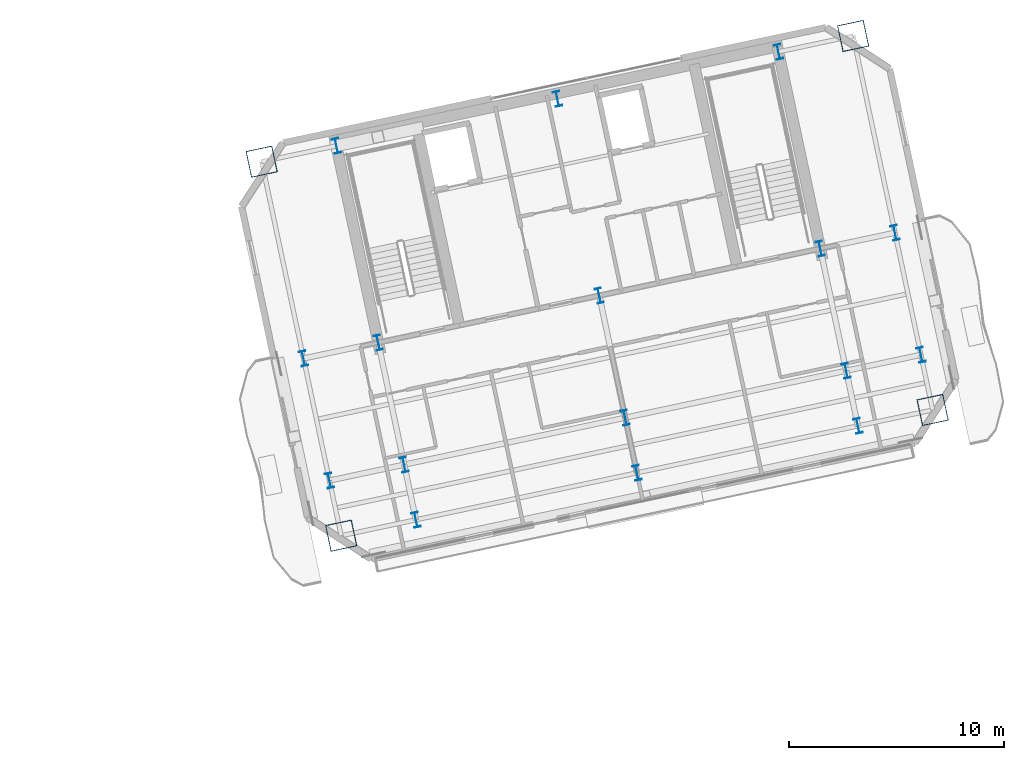
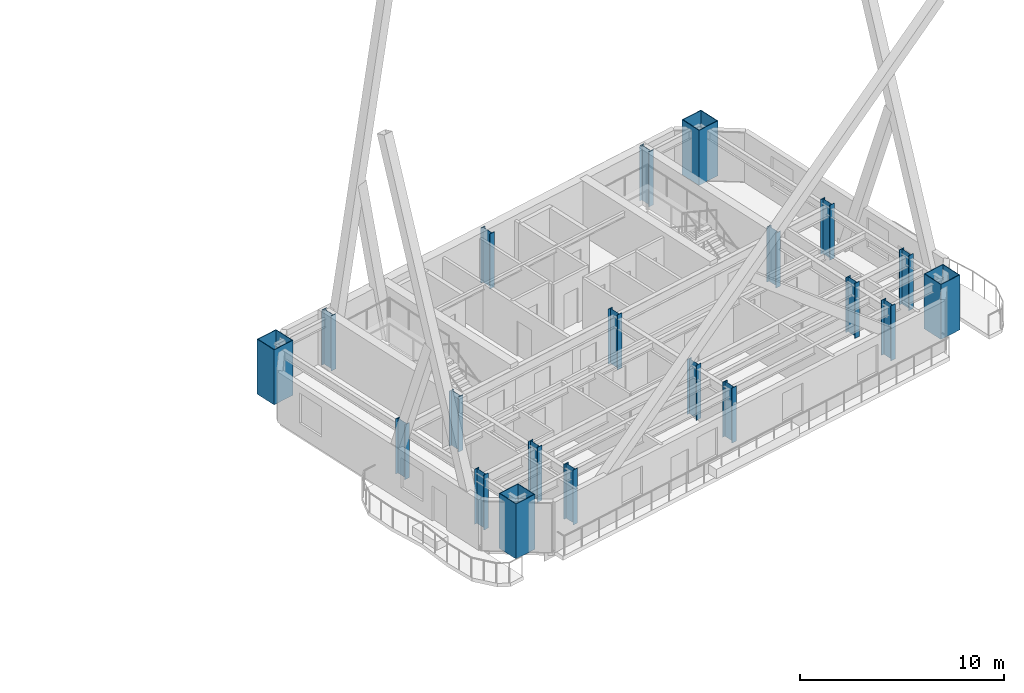
# One storey, part 2 of 20: 20 columns.
"""IFC4 building model written with IfcOpenShell, lengths in metres."""

from ifc_helpers import new_model, si_unit, direction, frame, origin, origin_2d, place, context, subcontext, project, spatial, hollow_rectangle, i_section, extrude, material, material_profile, profile_set, type_object, element, save


model = new_model("IFC4")

# Units and contexts
model_context = context("Model", 3, precision=1e-05, world=origin(), true_north=direction((0.0, 1.0)))
body_context = subcontext(model_context, "Body", "Model", "MODEL_VIEW")
ifc_project = project(units=[si_unit("LENGTHUNIT", "METRE"), si_unit("AREAUNIT", "SQUARE_METRE"), si_unit("VOLUMEUNIT", "CUBIC_METRE"), si_unit("PLANEANGLEUNIT", "RADIAN"), si_unit("MASSUNIT", "GRAM", prefix="KILO")], contexts=[model_context])

# Site, building, storey
site_placement = place(None, origin())
site = spatial("IfcSite", under=ifc_project, at=site_placement, CompositionType="ELEMENT")
building_placement = place(site_placement, origin())
building = spatial("IfcBuilding", under=site, at=building_placement, Name="Haevon Station Towers", CompositionType="ELEMENT")
storey_placement = place(building_placement, frame((0.0, 0.0, 175.800048828125)))
storey = spatial("IfcBuildingStorey", under=building, at=storey_placement, Name="L48", CompositionType="ELEMENT", Elevation=175.800048828125)

# Columns
ifc_material_1 = material(Name="Steel S460", Category="steel")
ifc_material_profile_1 = material_profile(ifc_material_1, hollow_rectangle(XDim=1.25, YDim=1.25, WallThickness=0.034912109375, at=origin_2d()), Name="BOX-1250x1250x35")
ifc_profile_set_1 = profile_set([ifc_material_profile_1], Name="Steel S460")
column_type_1 = type_object("IfcColumnType", Name="COL-MC4", PredefinedType="COLUMN", material=ifc_profile_set_1)
for number, where, z_axis, x_axis, name in (
    (1, (97.030517578125, 28.46826171875, 0.0), (0.0, 0.0, 1.0), (0.978147600734, 0.207911690818, 0.0), "COL-T2-L48-01-01"),
    (2, (93.3359375, 45.85009765625, 0.0), (0.0, 0.0, 1.0), (0.978147600734, 0.207911690818, 0.0), "COL-T2-L48-01-04"),
    (3, (124.5166015625, 34.310546875, 0.0), (0.0, 0.0, 1.0), (0.978147600734, 0.207911690818, 0.0), "COL-T2-L48-05-01"),
    (4, (120.822021484375, 51.6923828125, 0.0), (0.0, 0.0, 1.0), (0.978147600734, 0.207911690818, 0.0), "COL-T2-L48-05-04"),
):
    element("IfcColumn", number, at=place(storey_placement, frame(where, z_axis=z_axis, x_axis=x_axis)), inside=storey, type_object=column_type_1, Name=name, PredefinedType="COLUMN", context=body_context, shape_type="SweptSolid", body=[
        extrude(hollow_rectangle(XDim=1.25, YDim=1.25, WallThickness=0.034912109375, at=origin_2d()), origin(), (0.0, 0.0, 1.0), 3.300048828125),
    ])
ifc_material_2 = material(Name="Steel S355", Category="steel")
ifc_material_profile_2 = material_profile(ifc_material_2, i_section(OverallWidth=0.300048828125, OverallDepth=0.699951171875, WebThickness=0.01611328125, FlangeThickness=0.028076171875, at=origin_2d()), Name="H-700x300x16x28")
ifc_profile_set_2 = profile_set([ifc_material_profile_2], Name="Steel S355")
column_type_2 = type_object("IfcColumnType", Name="COL-TW3", PredefinedType="COLUMN", material=ifc_profile_set_2)
for number, where, z_axis, x_axis, name in (
    (5, (96.48583984375, 31.031005859375, 0.0), (0.0, 0.0, 1.0), (0.978147600734, 0.207911690818, 0.0), "COL-T2-L48-01-02"),
    (6, (95.280029296875, 36.704345703125, 0.0), (0.0, 0.0, 1.0), (0.978147600734, 0.207911690818, 0.0), "COL-T2-L48-01-03"),
    (7, (100.5029296875, 29.206298828125, 0.0), (0.0, 0.0, 1.0), (0.978147600734, 0.207911690818, 0.0), "COL-T2-L48-02-01"),
    (8, (99.958251953125, 31.76904296875, 0.0), (0.0, 0.0, 1.0), (0.978147600734, 0.207911690818, 0.0), "COL-T2-L48-02-02"),
    (9, (98.75244140625, 37.4423828125, 0.0), (0.0, 0.0, 1.0), (0.978147600734, 0.207911690818, 0.0), "COL-T2-L48-02-03"),
    (10, (96.808349609375, 46.588134765625, 0.0), (0.0, 0.0, 1.0), (0.978147600734, 0.207911690818, 0.0), "COL-T2-L48-02-04"),
    (11, (110.7734375, 31.389404296875, 0.0), (0.0, 0.0, 1.0), (0.978147600734, 0.207911690818, 0.0), "COL-T2-L48-03-01"),
    (12, (110.228759765625, 33.9521484375, 0.0), (0.0, 0.0, 1.0), (0.978147600734, 0.207911690818, 0.0), "COL-T2-L48-03-02"),
    (13, (109.02294921875, 39.62548828125, 0.0), (0.0, 0.0, 1.0), (0.978147600734, 0.207911690818, 0.0), "COL-T2-L48-03-03"),
    (14, (107.078857421875, 48.771240234375, 0.0), (0.0, 0.0, 1.0), (0.978147600734, 0.207911690818, 0.0), "COL-T2-L48-03-04"),
    (15, (121.0439453125, 33.572509765625, 0.0), (0.0, 0.0, 1.0), (0.978147600734, 0.207911690818, 0.0), "COL-T2-L48-04-01"),
    (16, (120.499267578125, 36.13525390625, 0.0), (0.0, 0.0, 1.0), (0.978147600734, 0.207911690818, 0.0), "COL-T2-L48-04-02"),
    (17, (119.29345703125, 41.80859375, 0.0), (0.0, 0.0, 1.0), (0.978147600734, 0.207911690818, 0.0), "COL-T2-L48-04-03"),
    (18, (117.349365234375, 50.954345703125, 0.0), (0.0, 0.0, 1.0), (0.978147600734, 0.207911690818, 0.0), "COL-T2-L48-04-04"),
    (19, (123.9716796875, 36.873291015625, 0.0), (0.0, 0.0, 1.0), (0.978147600734, 0.207911690818, 0.0), "COL-T2-L48-05-02"),
    (20, (122.765869140625, 42.546630859375, 0.0), (0.0, 0.0, 1.0), (0.978147600734, 0.207911690818, 0.0), "COL-T2-L48-05-03"),
):
    element("IfcColumn", number, at=place(storey_placement, frame(where, z_axis=z_axis, x_axis=x_axis)), inside=storey, type_object=column_type_2, Name=name, PredefinedType="COLUMN", context=body_context, shape_type="SweptSolid", body=[
        extrude(i_section(OverallWidth=0.300048828125, OverallDepth=0.699951171875, WebThickness=0.01611328125, FlangeThickness=0.028076171875, at=origin_2d()), origin(), (0.0, 0.0, 1.0), 3.300048828125),
    ])

save(model, "model.ifc")
